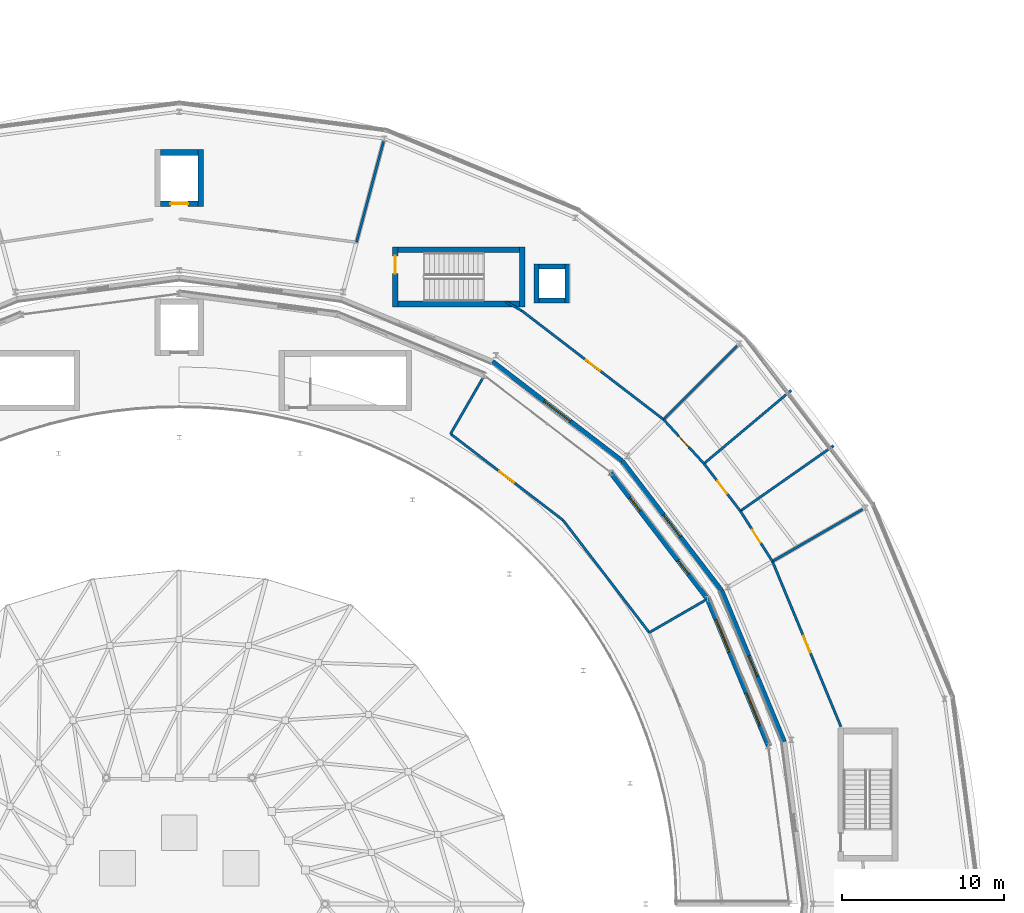
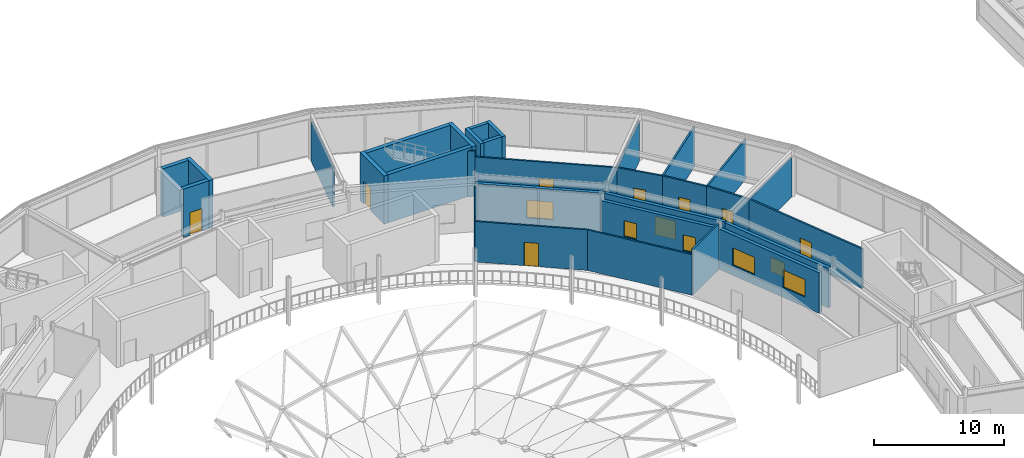
# One storey, part 87 of 116: 31 walls, 8 doors, 7 windows, 15 openings.
"""IFC4 building model written with IfcOpenShell, lengths in metres."""

from ifc_helpers import new_model, si_unit, direction, frame, frame_2d, origin, place, context, subcontext, project, spatial, rectangle, extrude, material, layer, layer_set, type_object, element, fill, save


model = new_model("IFC4")

# Units and contexts
model_context = context("Model", 3, precision=1e-05, world=origin(), true_north=direction((0.0, 1.0)))
body_context = subcontext(model_context, "Body", "Model", "MODEL_VIEW")
ifc_project = project(units=[si_unit("LENGTHUNIT", "METRE"), si_unit("AREAUNIT", "SQUARE_METRE"), si_unit("VOLUMEUNIT", "CUBIC_METRE"), si_unit("PLANEANGLEUNIT", "RADIAN"), si_unit("MASSUNIT", "GRAM", prefix="KILO")], contexts=[model_context])

# Site, building, storey
site_placement = place(None, origin())
site = spatial("IfcSite", under=ifc_project, at=site_placement, CompositionType="ELEMENT")
building_placement = place(site_placement, origin())
building = spatial("IfcBuilding", under=site, at=building_placement, Name="Almandine Court Research Institute", CompositionType="ELEMENT")
storey_placement = place(building_placement, frame((0.0, 0.0, 14.35009765625)))
storey = spatial("IfcBuildingStorey", under=building, at=storey_placement, Name="L03", CompositionType="ELEMENT", Elevation=14.35009765625)

# Wall, opening, window
ifc_material_1 = material(Name="Insulated Ochre Terracotta Rainscreen Wall", Category="masonry")
ifc_layer_1 = layer(ifc_material_1, 0.2900390625)
ifc_layer_set_1 = layer_set([ifc_layer_1], Name="Insulated Ochre Terracotta Rainscreen Wall")
wall_type_1 = type_object("IfcWallType", Name="Wall-EXT-TERR-290", PredefinedType="SOLIDWALL", material=ifc_layer_set_1)
wall_1_placement = place(storey_placement, frame((124.341064453125, 66.011962890625, 0.0), z_axis=(0.0, 0.0, 1.0), x_axis=(-0.382733240508, 0.92385889973, 0.0)))
wall_1 = element("IfcWall", 1, at=wall_1_placement, inside=storey, type_object=wall_type_1, Name="L03 Drum Inner Gallery Wall 01", PredefinedType="SOLIDWALL", context=body_context, shape_type="SweptSolid", body=[
    extrude(rectangle(XDim=10.08056640625, YDim=0.2900390625, at=frame_2d((5.040283203125, 0.0))), origin(), (0.0, 0.0, 1.0), 3.73388671875),
])
opening_1_placement = place(wall_1_placement, frame((4.35009765625, 0.0, 0.949951171875)))
opening_1 = element("IfcOpeningElement", 2, at=opening_1_placement, cuts=wall_1, Name="Opening WN-29", PredefinedType="OPENING", context=body_context, shape_type="SweptSolid", body=[
    extrude(rectangle(XDim=1.3798828125, YDim=1.35009765625, at=frame_2d((0.68994140625, 0.675048828125))), frame((0.0, 0.155029296875, 0.0), z_axis=(0.0, -1.0, 0.0), x_axis=(1.0, 0.0, 0.0)), (0.0, 0.0, 1.0), 0.31005859375),
])
ifc_material_2 = material(Name="Thermally Broken Low-E Double-Glazed Window", Category="glass")
window_type_1 = type_object("IfcWindowType", Name="Win-WN-29-1380x1350", PartitioningType="SINGLE_PANEL", PredefinedType="WINDOW", material=ifc_material_2)
window_1_placement = place(opening_1_placement, origin())
window_1 = element("IfcWindow", 3, at=window_1_placement, inside=storey, type_object=window_type_1, Name="L03 Modular Recessed Low-E Window 278", OverallHeight=1.35009765625, OverallWidth=1.3798828125, PartitioningType="SINGLE_PANEL", PredefinedType="WINDOW", context=body_context, shape_type="SweptSolid", body=[
    extrude(rectangle(XDim=1.3798828125, YDim=1.35009765625, at=frame_2d((0.68994140625, 0.675048828125))), frame((0.0, 0.030029296875, 0.0), z_axis=(0.0, -1.0, 0.0), x_axis=(1.0, 0.0, 0.0)), (0.0, 0.0, 1.0), 0.06005859375),
])
fill(opening_1, window_1)

wall_2_placement = place(storey_placement, frame((120.47705078125, 75.3349609375, 0.0), z_axis=(0.0, 0.0, 1.0), x_axis=(-0.608737604027, 0.793371621275, 0.0)))
wall_2 = element("IfcWall", 4, at=wall_2_placement, inside=storey, type_object=wall_type_1, Name="L03 Drum Inner Gallery Wall 02", PredefinedType="SOLIDWALL", context=body_context, shape_type="SweptSolid", body=[
    extrude(rectangle(XDim=10.079833984375, YDim=0.2900390625, at=frame_2d((5.0400390625, 0.0))), origin(), (0.0, 0.0, 1.0), 3.81591796875),
])
opening_2_placement = place(wall_2_placement, frame((4.18505859375, 0.0, 0.949951171875)))
opening_2 = element("IfcOpeningElement", 5, at=opening_2_placement, cuts=wall_2, Name="Opening WN-30", PredefinedType="OPENING", context=body_context, shape_type="SweptSolid", body=[
    extrude(rectangle(XDim=1.7099609375, YDim=1.75, at=frame_2d((0.85498046875, 0.875))), frame((0.0, 0.155029296875, 0.0), z_axis=(0.0, -1.0, 0.0), x_axis=(1.0, 0.0, 0.0)), (0.0, 0.0, 1.0), 0.31005859375),
])
window_type_2 = type_object("IfcWindowType", Name="Win-WN-30-1710x1750", PartitioningType="SINGLE_PANEL", PredefinedType="WINDOW", material=ifc_material_2)
window_2_placement = place(opening_2_placement, origin())
window_2 = element("IfcWindow", 6, at=window_2_placement, inside=storey, type_object=window_type_2, Name="L03 Modular Recessed Low-E Window 279", OverallHeight=1.75, OverallWidth=1.7099609375, PartitioningType="SINGLE_PANEL", PredefinedType="WINDOW", context=body_context, shape_type="SweptSolid", body=[
    extrude(rectangle(XDim=1.7099609375, YDim=1.75, at=frame_2d((0.85498046875, 0.875))), frame((0.0, 0.030029296875, 0.0), z_axis=(0.0, -1.0, 0.0), x_axis=(1.0, 0.0, 0.0)), (0.0, 0.0, 1.0), 0.06005859375),
])
fill(opening_2, window_2)

wall_3_placement = place(storey_placement, frame((114.33203125, 83.341064453125, 0.0), z_axis=(0.0, 0.0, 1.0), x_axis=(-0.793371621275, 0.608737604027, 0.0)))
wall_3 = element("IfcWall", 7, at=wall_3_placement, inside=storey, type_object=wall_type_1, Name="L03 Drum Inner Gallery Wall 03", PredefinedType="SOLIDWALL", context=body_context, shape_type="SweptSolid", body=[
    extrude(rectangle(XDim=10.079833984375, YDim=0.2900390625, at=frame_2d((5.0400390625, 0.0))), origin(), (0.0, 0.0, 1.0), 3.81591796875),
])
opening_3_placement = place(wall_3_placement, frame((4.02001953125, 0.0, 0.949951171875)))
opening_3 = element("IfcOpeningElement", 8, at=opening_3_placement, cuts=wall_3, Name="Opening WN-93", PredefinedType="OPENING", context=body_context, shape_type="SweptSolid", body=[
    extrude(rectangle(XDim=2.0400390625, YDim=1.669921875, at=frame_2d((1.02001953125, 0.8349609375))), frame((0.0, 0.155029296875, 0.0), z_axis=(0.0, -1.0, 0.0), x_axis=(1.0, 0.0, 0.0)), (0.0, 0.0, 1.0), 0.31005859375),
])
window_type_3 = type_object("IfcWindowType", Name="Win-WN-93-2040x1670", PartitioningType="SINGLE_PANEL", PredefinedType="WINDOW", material=ifc_material_2)
window_3_placement = place(opening_3_placement, origin())
window_3 = element("IfcWindow", 9, at=window_3_placement, inside=storey, type_object=window_type_3, Name="L03 Modular Recessed Low-E Window 280", OverallHeight=1.669921875, OverallWidth=2.0400390625, PartitioningType="SINGLE_PANEL", PredefinedType="WINDOW", context=body_context, shape_type="SweptSolid", body=[
    extrude(rectangle(XDim=2.0400390625, YDim=1.669921875, at=frame_2d((1.02001953125, 0.8349609375))), frame((0.0, 0.030029296875, 0.0), z_axis=(0.0, -1.0, 0.0), x_axis=(1.0, 0.0, 0.0)), (0.0, 0.0, 1.0), 0.06005859375),
])
fill(opening_3, window_3)

# Wall, openings, windows
wall_4_placement = place(storey_placement, frame((119.60693359375, 74.821044921875, 0.0), z_axis=(0.0, 0.0, 1.0), x_axis=(0.382759423628, -0.923848052238, 0.0)))
wall_4 = element("IfcWall", 10, at=wall_4_placement, inside=storey, type_object=wall_type_1, Name="L03 Interaction Atrium Perimeter Wall 01", PredefinedType="SOLIDWALL", context=body_context, shape_type="SweptSolid", body=[
    extrude(rectangle(XDim=9.82080078125, YDim=0.2900390625, at=frame_2d((4.910400390625, 0.0))), origin(), (0.0, 0.0, 1.0), 3.81591796875),
])
opening_4_placement = place(wall_4_placement, frame((1.3798828125, 0.0, 0.949951171875)))
opening_4 = element("IfcOpeningElement", 11, at=opening_4_placement, cuts=wall_4, Name="Opening WN-69", PredefinedType="OPENING", context=body_context, shape_type="SweptSolid", body=[
    extrude(rectangle(XDim=2.14990234375, YDim=1.639892578125, at=frame_2d((1.074951171875, 0.81982421875))), frame((0.0, 0.155029296875, 0.0), z_axis=(0.0, -1.0, 0.0), x_axis=(1.0, 0.0, 0.0)), (0.0, 0.0, 1.0), 0.31005859375),
])
opening_5_placement = place(wall_4_placement, frame((6.291015625, 0.0, 0.949951171875)))
opening_5 = element("IfcOpeningElement", 12, at=opening_5_placement, cuts=wall_4, Name="Opening WN-69", PredefinedType="OPENING", context=body_context, shape_type="SweptSolid", body=[
    extrude(rectangle(XDim=2.14990234375, YDim=1.639892578125, at=frame_2d((1.074951171875, 0.81982421875))), frame((0.0, 0.155029296875, 0.0), z_axis=(0.0, -1.0, 0.0), x_axis=(1.0, 0.0, 0.0)), (0.0, 0.0, 1.0), 0.31005859375),
])
window_type_4 = type_object("IfcWindowType", Name="Win-WN-69-2150x1640", PartitioningType="SINGLE_PANEL", PredefinedType="WINDOW", material=ifc_material_2)
window_4_placement = place(opening_4_placement, origin())
window_4 = element("IfcWindow", 13, at=window_4_placement, inside=storey, type_object=window_type_4, Name="L03 Modular Recessed Low-E Window 371", OverallHeight=1.639892578125, OverallWidth=2.14990234375, PartitioningType="SINGLE_PANEL", PredefinedType="WINDOW", context=body_context, shape_type="SweptSolid", body=[
    extrude(rectangle(XDim=2.14990234375, YDim=1.639892578125, at=frame_2d((1.074951171875, 0.81982421875))), frame((0.0, 0.030029296875, 0.0), z_axis=(0.0, -1.0, 0.0), x_axis=(1.0, 0.0, 0.0)), (0.0, 0.0, 1.0), 0.06005859375),
])
fill(opening_4, window_4)
window_5_placement = place(opening_5_placement, origin())
window_5 = element("IfcWindow", 14, at=window_5_placement, inside=storey, type_object=window_type_4, Name="L03 Modular Recessed Low-E Window 372", OverallHeight=1.639892578125, OverallWidth=2.14990234375, PartitioningType="SINGLE_PANEL", PredefinedType="WINDOW", context=body_context, shape_type="SweptSolid", body=[
    extrude(rectangle(XDim=2.14990234375, YDim=1.639892578125, at=frame_2d((1.074951171875, 0.81982421875))), frame((0.0, 0.030029296875, 0.0), z_axis=(0.0, -1.0, 0.0), x_axis=(1.0, 0.0, 0.0)), (0.0, 0.0, 1.0), 0.06005859375),
])
fill(opening_5, window_5)

wall_5_placement = place(storey_placement, frame((113.625, 82.618896484375, 0.0), z_axis=(0.0, 0.0, 1.0), x_axis=(0.608746738158, -0.793364612762, 0.0)))
wall_5 = element("IfcWall", 15, at=wall_5_placement, inside=storey, type_object=wall_type_1, Name="L03 Interaction Atrium Perimeter Wall 02", PredefinedType="SOLIDWALL", context=body_context, shape_type="SweptSolid", body=[
    extrude(rectangle(XDim=9.8203125, YDim=0.2900390625, at=frame_2d((4.91015625, 0.0))), origin(), (0.0, 0.0, 1.0), 3.81591796875),
])
opening_6_placement = place(wall_5_placement, frame((1.929931640625, 0.0, 0.949951171875)))
opening_6 = element("IfcOpeningElement", 16, at=opening_6_placement, cuts=wall_5, Name="Opening WN-85", PredefinedType="OPENING", context=body_context, shape_type="SweptSolid", body=[
    extrude(rectangle(XDim=1.050048828125, YDim=1.47998046875, at=frame_2d((0.52490234375, 0.739990234375))), frame((0.0, 0.155029296875, 0.0), z_axis=(0.0, -1.0, 0.0), x_axis=(1.0, 0.0, 0.0)), (0.0, 0.0, 1.0), 0.31005859375),
])
opening_7_placement = place(wall_5_placement, frame((6.840087890625, 0.0, 0.949951171875)))
opening_7 = element("IfcOpeningElement", 17, at=opening_7_placement, cuts=wall_5, Name="Opening WN-85", PredefinedType="OPENING", context=body_context, shape_type="SweptSolid", body=[
    extrude(rectangle(XDim=1.050048828125, YDim=1.47998046875, at=frame_2d((0.52490234375, 0.739990234375))), frame((0.0, 0.155029296875, 0.0), z_axis=(0.0, -1.0, 0.0), x_axis=(1.0, 0.0, 0.0)), (0.0, 0.0, 1.0), 0.31005859375),
])
window_type_5 = type_object("IfcWindowType", Name="Win-WN-85-1050x1480", PartitioningType="SINGLE_PANEL", PredefinedType="WINDOW", material=ifc_material_2)
window_6_placement = place(opening_6_placement, origin())
window_6 = element("IfcWindow", 18, at=window_6_placement, inside=storey, type_object=window_type_5, Name="L03 Modular Recessed Low-E Window 373", OverallHeight=1.47998046875, OverallWidth=1.050048828125, PartitioningType="SINGLE_PANEL", PredefinedType="WINDOW", context=body_context, shape_type="SweptSolid", body=[
    extrude(rectangle(XDim=1.050048828125, YDim=1.47998046875, at=frame_2d((0.52490234375, 0.739990234375))), frame((0.0, 0.030029296875, 0.0), z_axis=(0.0, -1.0, 0.0), x_axis=(1.0, 0.0, 0.0)), (0.0, 0.0, 1.0), 0.06005859375),
])
fill(opening_6, window_6)
window_7_placement = place(opening_7_placement, origin())
window_7 = element("IfcWindow", 19, at=window_7_placement, inside=storey, type_object=window_type_5, Name="L03 Modular Recessed Low-E Window 374", OverallHeight=1.47998046875, OverallWidth=1.050048828125, PartitioningType="SINGLE_PANEL", PredefinedType="WINDOW", context=body_context, shape_type="SweptSolid", body=[
    extrude(rectangle(XDim=1.050048828125, YDim=1.47998046875, at=frame_2d((0.52490234375, 0.739990234375))), frame((0.0, 0.030029296875, 0.0), z_axis=(0.0, -1.0, 0.0), x_axis=(1.0, 0.0, 0.0)), (0.0, 0.0, 1.0), 0.06005859375),
])
fill(opening_7, window_7)

# Wall, opening, door
ifc_material_3 = material(Name="Acoustic Steel-Stud Gypsum Partition Wall", Category="steel")
ifc_layer_2 = layer(ifc_material_3, 0.14990234375)
ifc_layer_set_2 = layer_set([ifc_layer_2], Name="Acoustic Steel-Stud Gypsum Partition Wall")
wall_type_2 = type_object("IfcWallType", Name="Wall-PART-150", PredefinedType="PARTITIONING", material=ifc_layer_set_2)
wall_6_placement = place(storey_placement, frame((123.615966796875, 77.139892578125, 0.0), z_axis=(0.0, 0.0, 1.0), x_axis=(-0.537290836095, 0.843397034289, 0.0)))
wall_6 = element("IfcWall", 20, at=wall_6_placement, inside=storey, type_object=wall_type_2, Name="L03 Interior Partition W-V5-L03-WC-1", PredefinedType="PARTITIONING", context=body_context, shape_type="SweptSolid", body=[
    extrude(rectangle(XDim=3.688720703125, YDim=0.14990234375, at=frame_2d((1.84423828125, 0.0))), origin(), (0.0, 0.0, 1.0), 3.73779296875),
])
opening_8_placement = place(wall_6_placement, frame((1.368896484375, 0.0, 0.0)))
opening_8 = element("IfcOpeningElement", 21, at=opening_8_placement, cuts=wall_6, Name="Opening D-01", PredefinedType="OPENING", context=body_context, shape_type="SweptSolid", body=[
    extrude(rectangle(XDim=0.949951171875, YDim=2.10009765625, at=frame_2d((0.47509765625, 1.050048828125))), frame((0.0, 0.0849609375, 0.0), z_axis=(0.0, -1.0, 0.0), x_axis=(1.0, 0.0, 0.0)), (0.0, 0.0, 1.0), 0.169921875),
])
ifc_material_4 = material(Name="Solid-Core Timber Acoustic Room Door", Category="wood")
door_type_1 = type_object("IfcDoorType", Name="Door-INT-950", OperationType="NOTDEFINED", PredefinedType="DOOR", material=ifc_material_4)
door_1_placement = place(opening_8_placement, origin())
door_1 = element("IfcDoor", 22, at=door_1_placement, inside=storey, type_object=door_type_1, Name="L03 Drum Male Toilet Door", OperationType="SINGLE_SWING_LEFT", OverallHeight=2.10009765625, OverallWidth=0.949951171875, PredefinedType="DOOR", context=body_context, shape_type="SweptSolid", body=[
    extrude(rectangle(XDim=0.949951171875, YDim=2.10009765625, at=frame_2d((0.47509765625, 1.050048828125))), frame((0.0, 0.02490234375, 0.0), z_axis=(0.0, -1.0, 0.0), x_axis=(1.0, 0.0, 0.0)), (0.0, 0.0, 1.0), 0.050048828125),
])
fill(opening_8, door_1)

wall_7_placement = place(storey_placement, frame((121.634033203125, 80.2509765625, 0.0), z_axis=(0.0, 0.0, 1.0), x_axis=(-0.608910806106, 0.793238696867, 0.0)))
wall_7 = element("IfcWall", 23, at=wall_7_placement, inside=storey, type_object=wall_type_2, Name="L03 Interior Partition W-V5-L03-WC-2", PredefinedType="PARTITIONING", context=body_context, shape_type="SweptSolid", body=[
    extrude(rectangle(XDim=3.688720703125, YDim=0.14990234375, at=frame_2d((1.84423828125, 0.0))), origin(), (0.0, 0.0, 1.0), 3.73779296875),
])
opening_9_placement = place(wall_7_placement, frame((1.368896484375, 0.0, 0.0)))
opening_9 = element("IfcOpeningElement", 24, at=opening_9_placement, cuts=wall_7, Name="Opening D-01", PredefinedType="OPENING", context=body_context, shape_type="SweptSolid", body=[
    extrude(rectangle(XDim=0.949951171875, YDim=2.10009765625, at=frame_2d((0.47509765625, 1.050048828125))), frame((0.0, 0.0849609375, 0.0), z_axis=(0.0, -1.0, 0.0), x_axis=(1.0, 0.0, 0.0)), (0.0, 0.0, 1.0), 0.169921875),
])
door_2_placement = place(opening_9_placement, origin())
door_2 = element("IfcDoor", 25, at=door_2_placement, inside=storey, type_object=door_type_1, Name="L03 Drum Female Toilet Door", OperationType="SINGLE_SWING_RIGHT", OverallHeight=2.10009765625, OverallWidth=0.949951171875, PredefinedType="DOOR", context=body_context, shape_type="SweptSolid", body=[
    extrude(rectangle(XDim=0.949951171875, YDim=2.10009765625, at=frame_2d((0.47509765625, 1.050048828125))), frame((0.0, 0.02490234375, 0.0), z_axis=(0.0, -1.0, 0.0), x_axis=(1.0, 0.0, 0.0)), (0.0, 0.0, 1.0), 0.050048828125),
])
fill(opening_9, door_2)

wall_8_placement = place(storey_placement, frame((119.387939453125, 83.177001953125, 0.0), z_axis=(0.0, 0.0, 1.0), x_axis=(-0.675655682507, 0.737217334778, 0.0)))
wall_8 = element("IfcWall", 26, at=wall_8_placement, inside=storey, type_object=wall_type_2, Name="L03 Interior Partition W-V5-L03-WC-3", PredefinedType="PARTITIONING", context=body_context, shape_type="SweptSolid", body=[
    extrude(rectangle(XDim=3.688232421875, YDim=0.14990234375, at=frame_2d((1.84423828125, 0.0))), origin(), (0.0, 0.0, 1.0), 3.73779296875),
])
opening_10_placement = place(wall_8_placement, frame((1.368896484375, 0.0, 0.0)))
opening_10 = element("IfcOpeningElement", 27, at=opening_10_placement, cuts=wall_8, Name="Opening D-01", PredefinedType="OPENING", context=body_context, shape_type="SweptSolid", body=[
    extrude(rectangle(XDim=0.949951171875, YDim=2.10009765625, at=frame_2d((0.47509765625, 1.050048828125))), frame((0.0, 0.0849609375, 0.0), z_axis=(0.0, -1.0, 0.0), x_axis=(1.0, 0.0, 0.0)), (0.0, 0.0, 1.0), 0.169921875),
])
door_3_placement = place(opening_10_placement, origin())
door_3 = element("IfcDoor", 28, at=door_3_placement, inside=storey, type_object=door_type_1, Name="L03 Drum Accessible WC Door", OperationType="SINGLE_SWING_LEFT", OverallHeight=2.10009765625, OverallWidth=0.949951171875, PredefinedType="DOOR", context=body_context, shape_type="SweptSolid", body=[
    extrude(rectangle(XDim=0.949951171875, YDim=2.10009765625, at=frame_2d((0.47509765625, 1.050048828125))), frame((0.0, 0.02490234375, 0.0), z_axis=(0.0, -1.0, 0.0), x_axis=(1.0, 0.0, 0.0)), (0.0, 0.0, 1.0), 0.050048828125),
])
fill(opening_10, door_3)

# Walls
wall_9_placement = place(storey_placement, frame((123.615966796875, 77.139892578125, 0.0), z_axis=(0.0, 0.0, 1.0), x_axis=(0.866008816382, 0.500028729123, 0.0)))
element("IfcWall", 29, at=wall_9_placement, inside=storey, type_object=wall_type_2, Name="L03 Interior Partition W-V5-L03-WCRAD-1", PredefinedType="PARTITIONING", context=body_context, shape_type="SweptSolid", body=[
    extrude(rectangle(XDim=6.43994140625, YDim=0.14990234375, at=frame_2d((3.219970703125, 0.0))), origin(), (0.0, 0.0, 1.0), 3.73779296875),
])
wall_10_placement = place(storey_placement, frame((121.634033203125, 80.2509765625, 0.0), z_axis=(0.0, 0.0, 1.0), x_axis=(0.819156749665, 0.573569716318, 0.0)))
element("IfcWall", 30, at=wall_10_placement, inside=storey, type_object=wall_type_2, Name="L03 Interior Partition W-V5-L03-WCRAD-2", PredefinedType="PARTITIONING", context=body_context, shape_type="SweptSolid", body=[
    extrude(rectangle(XDim=7.01953125, YDim=0.14990234375, at=frame_2d((3.509765625, 0.0))), origin(), (0.0, 0.0, 1.0), 3.73779296875),
])
wall_11_placement = place(storey_placement, frame((119.387939453125, 83.177001953125, 0.0), z_axis=(0.0, 0.0, 1.0), x_axis=(0.766104816456, 0.642715652682, 0.0)))
element("IfcWall", 31, at=wall_11_placement, inside=storey, type_object=wall_type_2, Name="L03 Interior Partition W-V5-L03-WCRAD-3", PredefinedType="PARTITIONING", context=body_context, shape_type="SweptSolid", body=[
    extrude(rectangle(XDim=7.020263671875, YDim=0.14990234375, at=frame_2d((3.51025390625, 0.0))), origin(), (0.0, 0.0, 1.0), 3.73779296875),
])
wall_12_placement = place(storey_placement, frame((116.89599609375, 85.89599609375, 0.0), z_axis=(0.0, 0.0, 1.0), x_axis=(0.707106781187, 0.707106781187, 0.0)))
element("IfcWall", 32, at=wall_12_placement, inside=storey, type_object=wall_type_2, Name="L03 Interior Partition W-V5-L03-WCRAD-4", PredefinedType="PARTITIONING", context=body_context, shape_type="SweptSolid", body=[
    extrude(rectangle(XDim=6.440185546875, YDim=0.14990234375, at=frame_2d((3.22021484375, 0.0))), origin(), (0.0, 0.0, 1.0), 3.73779296875),
])

# Wall, opening, door
wall_13_placement = place(storey_placement, frame((127.839111328125, 66.943115234375, 0.0), z_axis=(0.0, 0.0, 1.0), x_axis=(-0.382644845446, 0.923895514793, 0.0)))
wall_13 = element("IfcWall", 33, at=wall_13_placement, inside=storey, type_object=wall_type_2, Name="L03 Interior Partition W-V5-L03-CHD-01", PredefinedType="PARTITIONING", context=body_context, shape_type="SweptSolid", body=[
    extrude(rectangle(XDim=11.03662109375, YDim=0.14990234375, at=frame_2d((5.518310546875, 0.0))), origin(), (0.0, 0.0, 1.0), 3.73779296875),
])
opening_11_placement = place(wall_13_placement, frame((4.949951171875, 0.0, 0.0)))
opening_11 = element("IfcOpeningElement", 34, at=opening_11_placement, cuts=wall_13, Name="Opening D-03", PredefinedType="OPENING", context=body_context, shape_type="SweptSolid", body=[
    extrude(rectangle(XDim=1.10009765625, YDim=2.199951171875, at=frame_2d((0.550048828125, 1.10009765625))), frame((0.0, 0.0849609375, 0.0), z_axis=(0.0, -1.0, 0.0), x_axis=(1.0, 0.0, 0.0)), (0.0, 0.0, 1.0), 0.169921875),
])
ifc_material_5 = material(Name="Acoustic Vision-Panel Seminar Door")
door_type_2 = type_object("IfcDoorType", Name="Door-INT-1100", OperationType="NOTDEFINED", PredefinedType="DOOR", material=ifc_material_5)
door_4_placement = place(opening_11_placement, origin())
door_4 = element("IfcDoor", 35, at=door_4_placement, inside=storey, type_object=door_type_2, Name="L03 Drum Instrument Room Door", OperationType="SINGLE_SWING_LEFT", OverallHeight=2.199951171875, OverallWidth=1.10009765625, PredefinedType="DOOR", context=body_context, shape_type="SweptSolid", body=[
    extrude(rectangle(XDim=1.10009765625, YDim=2.199951171875, at=frame_2d((0.550048828125, 1.10009765625))), frame((0.0, 0.02490234375, 0.0), z_axis=(0.0, -1.0, 0.0), x_axis=(1.0, 0.0, 0.0)), (0.0, 0.0, 1.0), 0.050048828125),
])
fill(opening_11, door_4)

wall_14_placement = place(storey_placement, frame((116.89599609375, 85.89599609375, 0.0), z_axis=(0.0, 0.0, 1.0), x_axis=(-0.793301872689, 0.608828497024, 0.0)))
wall_14 = element("IfcWall", 36, at=wall_14_placement, inside=storey, type_object=wall_type_2, Name="L03 Interior Partition W-V5-L03-CHD-03", PredefinedType="PARTITIONING", context=body_context, shape_type="SweptSolid", body=[
    extrude(rectangle(XDim=11.03759765625, YDim=0.14990234375, at=frame_2d((5.518798828125, 0.0))), origin(), (0.0, 0.0, 1.0), 3.73779296875),
])
opening_12_placement = place(wall_14_placement, frame((4.949951171875, 0.0, 0.0)))
opening_12 = element("IfcOpeningElement", 37, at=opening_12_placement, cuts=wall_14, Name="Opening D-03", PredefinedType="OPENING", context=body_context, shape_type="SweptSolid", body=[
    extrude(rectangle(XDim=1.10009765625, YDim=2.199951171875, at=frame_2d((0.550048828125, 1.10009765625))), frame((0.0, 0.0849609375, 0.0), z_axis=(0.0, -1.0, 0.0), x_axis=(1.0, 0.0, 0.0)), (0.0, 0.0, 1.0), 0.169921875),
])
door_5_placement = place(opening_12_placement, origin())
door_5 = element("IfcDoor", 38, at=door_5_placement, inside=storey, type_object=door_type_2, Name="L03 Drum Reference Library Door", OperationType="SINGLE_SWING_RIGHT", OverallHeight=2.199951171875, OverallWidth=1.10009765625, PredefinedType="DOOR", context=body_context, shape_type="SweptSolid", body=[
    extrude(rectangle(XDim=1.10009765625, YDim=2.199951171875, at=frame_2d((0.550048828125, 1.10009765625))), frame((0.0, 0.02490234375, 0.0), z_axis=(0.0, -1.0, 0.0), x_axis=(1.0, 0.0, 0.0)), (0.0, 0.0, 1.0), 0.050048828125),
])
fill(opening_12, door_5)

# Walls
wall_15_placement = place(storey_placement, frame((108.139892578125, 92.615966796875, 0.0), z_axis=(0.0, 0.0, 1.0), x_axis=(-0.872821867213, 0.488038920697, 0.0)))
element("IfcWall", 39, at=wall_15_placement, inside=storey, type_object=wall_type_2, Name="L03 Interior Partition W-V5-L03-CHD-04", PredefinedType="PARTITIONING", context=body_context, shape_type="SweptSolid", body=[
    extrude(rectangle(XDim=1.1064453125, YDim=0.14990234375, at=frame_2d((0.55322265625, 0.0))), origin(), (0.0, 0.0, 1.0), 4.2998046875),
])
wall_16_placement = place(storey_placement, frame((97.943115234375, 96.839111328125, 0.0), z_axis=(0.0, 0.0, 1.0), x_axis=(0.258832719409, 0.965922162166, 0.0)))
element("IfcWall", 40, at=wall_16_placement, inside=storey, type_object=wall_type_2, Name="L03 Interior Partition W-V5-L03-RAD-05", PredefinedType="PARTITIONING", context=body_context, shape_type="SweptSolid", body=[
    extrude(rectangle(XDim=6.4404296875, YDim=0.14990234375, at=frame_2d((3.22021484375, 0.0))), origin(), (0.0, 0.0, 1.0), 3.73779296875),
])
wall_17_placement = place(storey_placement, frame((116.011962890625, 72.75, 0.0), z_axis=(0.0, 0.0, 1.0), x_axis=(-0.6087807861, 0.793338486697, 0.0)))
element("IfcWall", 41, at=wall_17_placement, inside=storey, type_object=wall_type_2, Name="L03 Interior Partition W-V2-L03-CHD-02", PredefinedType="PARTITIONING", context=body_context, shape_type="SweptSolid", body=[
    extrude(rectangle(XDim=8.745361328125, YDim=0.14990234375, at=frame_2d((4.37255859375, 0.0))), origin(), (0.0, 0.0, 1.0), 3.82080078125),
])

# Wall, opening, door
wall_18_placement = place(storey_placement, frame((110.68798828125, 79.68798828125, 0.0), z_axis=(0.0, 0.0, 1.0), x_axis=(-0.793338486697, 0.6087807861, 0.0)))
wall_18 = element("IfcWall", 42, at=wall_18_placement, inside=storey, type_object=wall_type_2, Name="L03 Interior Partition W-V2-L03-CHD-03", PredefinedType="PARTITIONING", context=body_context, shape_type="SweptSolid", body=[
    extrude(rectangle(XDim=8.745361328125, YDim=0.14990234375, at=frame_2d((4.37255859375, 0.0))), origin(), (0.0, 0.0, 1.0), 3.82080078125),
])
opening_13_placement = place(wall_18_placement, frame((3.822998046875, 0.0, 0.0)))
opening_13 = element("IfcOpeningElement", 43, at=opening_13_placement, cuts=wall_18, Name="Opening D-03", PredefinedType="OPENING", context=body_context, shape_type="SweptSolid", body=[
    extrude(rectangle(XDim=1.10009765625, YDim=2.199951171875, at=frame_2d((0.550048828125, 1.10009765625))), frame((0.0, 0.0849609375, 0.0), z_axis=(0.0, -1.0, 0.0), x_axis=(1.0, 0.0, 0.0)), (0.0, 0.0, 1.0), 0.169921875),
])
door_6_placement = place(opening_13_placement, origin())
door_6 = element("IfcDoor", 44, at=door_6_placement, inside=storey, type_object=door_type_2, Name="L03 Atrium Academic Lounge Door", OperationType="SINGLE_SWING_LEFT", OverallHeight=2.199951171875, OverallWidth=1.10009765625, PredefinedType="DOOR", context=body_context, shape_type="SweptSolid", body=[
    extrude(rectangle(XDim=1.10009765625, YDim=2.199951171875, at=frame_2d((0.550048828125, 1.10009765625))), frame((0.0, 0.02490234375, 0.0), z_axis=(0.0, -1.0, 0.0), x_axis=(1.0, 0.0, 0.0)), (0.0, 0.0, 1.0), 0.050048828125),
])
fill(opening_13, door_6)

# Walls
for number, where, z_axis, x_axis, name in (
    (45, (116.011962890625, 72.75, 0.0), (0.0, 0.0, 1.0), (0.866041564056, 0.499972008543, 0.0), "L03 Interior Partition W-V2-L03-RAD-02"),
    (46, (103.75, 85.011962890625, 0.0), (0.0, 0.0, 1.0), (0.499972008543, 0.866041564056, 0.0), "L03 Interior Partition W-V2-L03-RAD-04"),
):
    element("IfcWall", number, at=place(storey_placement, frame(where, z_axis=z_axis, x_axis=x_axis)), inside=storey, type_object=wall_type_2, Name=name, PredefinedType="PARTITIONING", context=body_context, shape_type="SweptSolid", body=[
        extrude(rectangle(XDim=3.980224609375, YDim=0.14990234375, at=frame_2d((1.990234375, 0.0))), origin(), (0.0, 0.0, 1.0), 4.2998046875),
    ])
ifc_material_6 = material(Name="Concrete C40/50", Category="concrete")
ifc_layer_3 = layer(ifc_material_6, 0.300048828125)
ifc_layer_set_3 = layer_set([ifc_layer_3], Name="Concrete C40/50")
wall_type_3 = type_object("IfcWallType", Name="Wall-SW-CORE-300", PredefinedType="SHEAR", material=ifc_layer_set_3)
wall_19_placement = place(storey_placement, frame((109.050048828125, 93.10009765625, 0.0), z_axis=(0.0, 0.0, 1.0), x_axis=(0.0, 1.0, 0.0)))
element("IfcWall", 47, at=wall_19_placement, inside=storey, type_object=wall_type_3, Name="L03 MEP Riser RS-V5A W Shear Wall", PredefinedType="SHEAR", context=body_context, shape_type="SweptSolid", body=[
    extrude(rectangle(XDim=2.39990234375, YDim=0.300048828125, at=frame_2d((1.199951171875, 0.0))), origin(), (0.0, 0.0, 1.0), 4.369873046875),
])
wall_20_placement = place(storey_placement, frame((109.199951171875, 95.35009765625, 0.0), z_axis=(0.0, 0.0, 1.0), x_axis=(1.0, 0.0, 0.0)))
element("IfcWall", 48, at=wall_20_placement, inside=storey, type_object=wall_type_3, Name="L03 MEP Riser RS-V5A N Shear Wall", PredefinedType="SHEAR", context=body_context, shape_type="SweptSolid", body=[
    extrude(rectangle(XDim=1.60009765625, YDim=0.300048828125, at=frame_2d((0.800048828125, 0.0))), origin(), (0.0, 0.0, 1.0), 4.369873046875),
])
wall_21_placement = place(storey_placement, frame((110.949951171875, 95.5, 0.0), z_axis=(0.0, 0.0, 1.0), x_axis=(0.0, -1.0, 0.0)))
element("IfcWall", 49, at=wall_21_placement, inside=storey, type_object=wall_type_3, Name="L03 MEP Riser RS-V5A E Shear Wall", PredefinedType="SHEAR", context=body_context, shape_type="SweptSolid", body=[
    extrude(rectangle(XDim=2.39990234375, YDim=0.300048828125, at=frame_2d((1.199951171875, 0.0))), origin(), (0.0, 0.0, 1.0), 4.369873046875),
])
wall_22_placement = place(storey_placement, frame((110.800048828125, 93.25, 0.0), z_axis=(0.0, 0.0, 1.0), x_axis=(-1.0, 0.0, 0.0)))
element("IfcWall", 50, at=wall_22_placement, inside=storey, type_object=wall_type_3, Name="L03 MEP Riser RS-V5A S Shear Wall", PredefinedType="SHEAR", context=body_context, shape_type="SweptSolid", body=[
    extrude(rectangle(XDim=1.60009765625, YDim=0.300048828125, at=frame_2d((0.800048828125, 0.0))), origin(), (0.0, 0.0, 1.0), 4.369873046875),
])

# Wall, opening, door
ifc_layer_4 = layer(ifc_material_6, 0.35009765625)
ifc_layer_set_4 = layer_set([ifc_layer_4], Name="Concrete C40/50")
wall_type_4 = type_object("IfcWallType", Name="Wall-SW-CORE-350", PredefinedType="SHEAR", material=ifc_layer_set_4)
wall_23_placement = place(storey_placement, frame((100.324951171875, 92.85009765625, 0.0), z_axis=(0.0, 0.0, 1.0), x_axis=(0.0, 1.0, 0.0)))
wall_23 = element("IfcWall", 51, at=wall_23_placement, inside=storey, type_object=wall_type_4, Name="L03 ST-09 W Shear Wall", PredefinedType="SHEAR", context=body_context, shape_type="SweptSolid", body=[
    extrude(rectangle(XDim=3.699951171875, YDim=0.35009765625, at=frame_2d((1.85009765625, 0.0))), origin(), (0.0, 0.0, 1.0), 4.5498046875),
])
opening_14_placement = place(wall_23_placement, frame((2.050048828125, 0.0, 0.0)))
opening_14 = element("IfcOpeningElement", 52, at=opening_14_placement, cuts=wall_23, Name="Opening FD-STAIR", PredefinedType="OPENING", context=body_context, shape_type="SweptSolid", body=[
    extrude(rectangle(XDim=1.10009765625, YDim=2.14990234375, at=frame_2d((0.550048828125, 1.074951171875))), frame((0.0, 0.18505859375, 0.0), z_axis=(0.0, -1.0, 0.0), x_axis=(1.0, 0.0, 0.0)), (0.0, 0.0, 1.0), 0.3701171875),
])
ifc_material_7 = material(Name="Self-Closing Steel Exit Stair Fire Door", Category="steel")
door_type_3 = type_object("IfcDoorType", Name="Door-FD-STAIR-1100", OperationType="NOTDEFINED", PredefinedType="DOOR", material=ifc_material_7)
door_7_placement = place(opening_14_placement, origin())
door_7 = element("IfcDoor", 53, at=door_7_placement, inside=storey, type_object=door_type_3, Name="L03 Exit Stair ST-09 Fire Door", OperationType="SINGLE_SWING_LEFT", OverallHeight=2.14990234375, OverallWidth=1.10009765625, PredefinedType="DOOR", context=body_context, shape_type="SweptSolid", body=[
    extrude(rectangle(XDim=1.10009765625, YDim=2.14990234375, at=frame_2d((0.550048828125, 1.074951171875))), frame((0.0, 0.02490234375, 0.0), z_axis=(0.0, -1.0, 0.0), x_axis=(1.0, 0.0, 0.0)), (0.0, 0.0, 1.0), 0.050048828125),
])
fill(opening_14, door_7)

# Walls
wall_24_placement = place(storey_placement, frame((100.5, 96.375, 0.0), z_axis=(0.0, 0.0, 1.0), x_axis=(1.0, 0.0, 0.0)))
element("IfcWall", 54, at=wall_24_placement, inside=storey, type_object=wall_type_4, Name="L03 ST-09 N Shear Wall", PredefinedType="SHEAR", context=body_context, shape_type="SweptSolid", body=[
    extrude(rectangle(XDim=7.5, YDim=0.35009765625, at=frame_2d((3.75, 0.0))), origin(), (0.0, 0.0, 1.0), 4.5498046875),
])
wall_25_placement = place(storey_placement, frame((108.175048828125, 96.550048828125, 0.0), z_axis=(0.0, 0.0, 1.0), x_axis=(0.0, -1.0, 0.0)))
element("IfcWall", 55, at=wall_25_placement, inside=storey, type_object=wall_type_4, Name="L03 ST-09 E Shear Wall", PredefinedType="SHEAR", context=body_context, shape_type="SweptSolid", body=[
    extrude(rectangle(XDim=3.699951171875, YDim=0.35009765625, at=frame_2d((1.85009765625, 0.0))), origin(), (0.0, 0.0, 1.0), 4.5498046875),
])
wall_26_placement = place(storey_placement, frame((108.0, 93.02490234375, 0.0), z_axis=(0.0, 0.0, 1.0), x_axis=(-1.0, 0.0, 0.0)))
element("IfcWall", 56, at=wall_26_placement, inside=storey, type_object=wall_type_4, Name="L03 ST-09 S Shear Wall", PredefinedType="SHEAR", context=body_context, shape_type="SweptSolid", body=[
    extrude(rectangle(XDim=7.5, YDim=0.35009765625, at=frame_2d((3.75, 0.0))), origin(), (0.0, 0.0, 1.0), 4.5498046875),
])
wall_27_placement = place(storey_placement, frame((85.85009765625, 102.375, 0.0), z_axis=(0.0, 0.0, 1.0), x_axis=(1.0, 0.0, 0.0)))
element("IfcWall", 57, at=wall_27_placement, inside=storey, type_object=wall_type_4, Name="L03 PL-04 Hoistway N Shear Wall", PredefinedType="SHEAR", context=body_context, shape_type="SweptSolid", body=[
    extrude(rectangle(XDim=2.2998046875, YDim=0.35009765625, at=frame_2d((1.14990234375, 0.0))), origin(), (0.0, 0.0, 1.0), 4.5498046875),
])
wall_28_placement = place(storey_placement, frame((88.324951171875, 102.550048828125, 0.0), z_axis=(0.0, 0.0, 1.0), x_axis=(0.0, -1.0, 0.0)))
element("IfcWall", 58, at=wall_28_placement, inside=storey, type_object=wall_type_4, Name="L03 PL-04 Hoistway E Shear Wall", PredefinedType="SHEAR", context=body_context, shape_type="SweptSolid", body=[
    extrude(rectangle(XDim=3.5, YDim=0.35009765625, at=frame_2d((1.75, 0.0))), origin(), (0.0, 0.0, 1.0), 4.5498046875),
])

# Wall, opening, door
wall_29_placement = place(storey_placement, frame((88.14990234375, 99.22509765625, 0.0), z_axis=(0.0, 0.0, 1.0), x_axis=(-1.0, 0.0, 0.0)))
wall_29 = element("IfcWall", 59, at=wall_29_placement, inside=storey, type_object=wall_type_4, Name="L03 PL-04 Hoistway S Shear Wall", PredefinedType="SHEAR", context=body_context, shape_type="SweptSolid", body=[
    extrude(rectangle(XDim=2.2998046875, YDim=0.35009765625, at=frame_2d((1.14990234375, 0.0))), origin(), (0.0, 0.0, 1.0), 4.5498046875),
])
opening_15_placement = place(wall_29_placement, frame((0.60009765625, 0.0, 0.0)))
opening_15 = element("IfcOpeningElement", 60, at=opening_15_placement, cuts=wall_29, Name="Opening LD-01", PredefinedType="OPENING", context=body_context, shape_type="SweptSolid", body=[
    extrude(rectangle(XDim=1.10009765625, YDim=2.14990234375, at=frame_2d((0.550048828125, 1.074951171875))), frame((0.0, 0.18505859375, 0.0), z_axis=(0.0, -1.0, 0.0), x_axis=(1.0, 0.0, 0.0)), (0.0, 0.0, 1.0), 0.3701171875),
])
ifc_material_8 = material(Name="Stainless Steel Lift Landing Sliding Door", Category="steel")
door_type_4 = type_object("IfcDoorType", Name="Door-LD-PASS-1100", OperationType="SLIDING_TO_LEFT", PredefinedType="USERDEFINED", material=ifc_material_8)
door_8_placement = place(opening_15_placement, origin())
door_8 = element("IfcDoor", 61, at=door_8_placement, inside=storey, type_object=door_type_4, Name="L03 Dry Laboratory Drum Passenger Lift PL-04 Sliding Landing Door", ObjectType="LANDING DOOR", OperationType="SLIDING_TO_LEFT", OverallHeight=2.14990234375, OverallWidth=1.10009765625, PredefinedType="USERDEFINED", context=body_context, shape_type="SweptSolid", body=[
    extrude(rectangle(XDim=1.10009765625, YDim=2.14990234375, at=frame_2d((0.550048828125, 1.074951171875))), frame((0.0, 0.02490234375, 0.0), z_axis=(0.0, -1.0, 0.0), x_axis=(1.0, 0.0, 0.0)), (0.0, 0.0, 1.0), 0.050048828125),
])
fill(opening_15, door_8)

save(model, "model.ifc")
